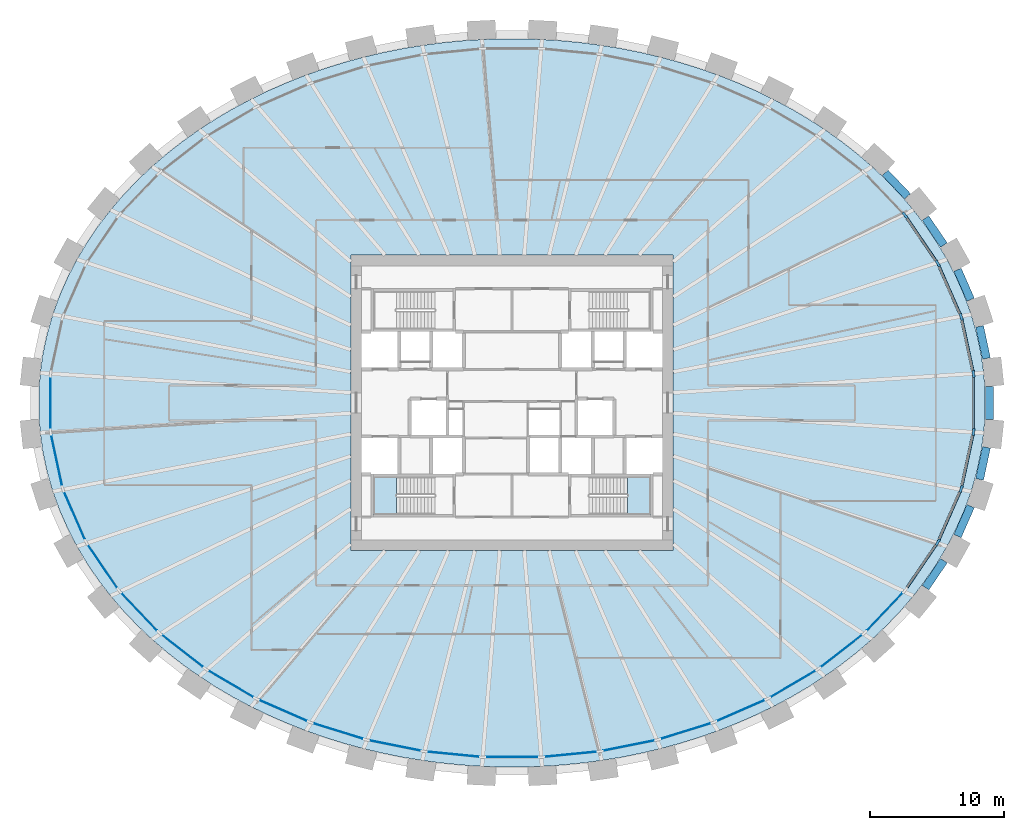
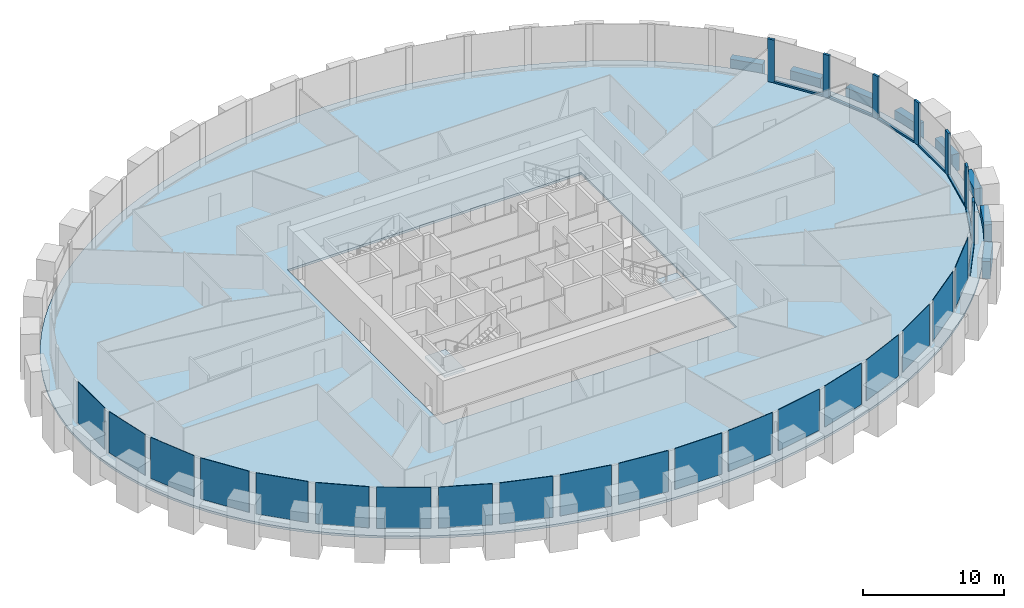
# One storey, part 4 of 11: 19 plates, 14 members, 8 beams, 3 slabs, 3 elements without a shape of their own.
"""IFC4 building model written with IfcOpenShell, lengths in metres."""

from ifc_helpers import new_model, si_unit, direction, frame, origin, origin_2d, place, context, subcontext, project, spatial, polyline, rectangle, outline, extrude, source, transform, mapped, material, layer, layer_set, material_profile, profile_set, type_object, element, aggregate, save


model = new_model("IFC4")

# Units and contexts
model_context = context("Model", 3, precision=1e-05, world=origin(), true_north=direction((0.0, 1.0)))
body_context = subcontext(model_context, "Body", "Model", "MODEL_VIEW")
ifc_project = project(units=[si_unit("LENGTHUNIT", "METRE"), si_unit("AREAUNIT", "SQUARE_METRE"), si_unit("VOLUMEUNIT", "CUBIC_METRE"), si_unit("PLANEANGLEUNIT", "RADIAN"), si_unit("MASSUNIT", "GRAM", prefix="KILO")], contexts=[model_context])

# Site, building, storey
site_placement = place(None, origin())
site = spatial("IfcSite", under=ifc_project, at=site_placement, CompositionType="ELEMENT")
building_placement = place(site_placement, origin())
building = spatial("IfcBuilding", under=site, at=building_placement, Name="Embergate Tower", CompositionType="ELEMENT")
storey_placement = place(building_placement, frame((0.0, 0.0, 207.300048828125)))
storey = spatial("IfcBuildingStorey", under=building, at=storey_placement, Name="L47", CompositionType="ELEMENT", Elevation=207.300048828125)

# Beams
ifc_material_1 = material(Name="Concrete C60", Category="concrete")
ifc_material_profile_1 = material_profile(ifc_material_1, rectangle(XDim=0.60009765625, YDim=1.5, at=origin_2d()), Name="RC 600x1500")
ifc_profile_set_1 = profile_set([ifc_material_profile_1], Name="Concrete C60")
beam_type = type_object("IfcBeamType", Name="Spandrel beam RC 600x1500 C60", PredefinedType="BEAM", material=ifc_profile_set_1)
shared_shape_1 = source(origin(), body_context, "Body", "SweptSolid", [
    extrude(rectangle(XDim=0.60009765625, YDim=1.5, at=origin_2d()), origin(), (0.0, 0.0, 1.0), 2.438720703125),
])
for number, where, z_axis, x_axis, name in (
    (1, (35.320068359375, 3.30908203125, 0.0), (-0.210438320614, 0.977607136439, 0.0), (-0.977607136439, -0.210438320614, 0.0), "SPN-L47-00"),
    (2, (34.806884765625, -5.693115234375, 0.0), (0.210438320614, 0.977607136439, 0.0), (-0.977607136439, 0.210438320614, 0.0), "SPN-L47-42"),
):
    element("IfcBeam", number, at=place(storey_placement, frame(where, z_axis=z_axis, x_axis=x_axis)), inside=storey, type_object=beam_type, Name=name, PredefinedType="BEAM", context=body_context, shape_type="MappedRepresentation", body=[
        mapped(shared_shape_1, transform((0.0, 0.0, 0.0))),
    ])
shared_shape_2 = source(origin(), body_context, "Body", "SweptSolid", [
    extrude(rectangle(XDim=0.60009765625, YDim=1.5, at=origin_2d()), origin(), (0.0, 0.0, 1.0), 2.431884765625),
])
for number, where, z_axis, x_axis, name in (
    (3, (34.14208984375, 7.68505859375, 0.0), (-0.401756025311, 0.915746742351, 0.0), (-0.915746742351, -0.401756025311, 0.0), "SPN-L47-01"),
    (4, (33.1650390625, -9.912109375, 0.0), (0.401756025311, 0.915746742351, 0.0), (-0.915746742351, 0.401756025311, 0.0), "SPN-L47-41"),
):
    element("IfcBeam", number, at=place(storey_placement, frame(where, z_axis=z_axis, x_axis=x_axis)), inside=storey, type_object=beam_type, Name=name, PredefinedType="BEAM", context=body_context, shape_type="MappedRepresentation", body=[
        mapped(shared_shape_2, transform((0.0, 0.0, 0.0))),
    ])
shared_shape_3 = source(origin(), body_context, "Body", "SweptSolid", [
    extrude(rectangle(XDim=0.60009765625, YDim=1.5, at=origin_2d()), origin(), (0.0, 0.0, 1.0), 2.42724609375),
])
for number, where, z_axis, x_axis, name in (
    (5, (32.14892578125, 11.7490234375, 0.0), (-0.562359541569, 0.826892826191, 0.0), (-0.826892826191, -0.562359541569, 0.0), "SPN-L47-02"),
    (6, (30.783935546875, -13.756103515625, 0.0), (0.562359541569, 0.826892826191, 0.0), (-0.826892826191, 0.562359541569, 0.0), "SPN-L47-40"),
):
    element("IfcBeam", number, at=place(storey_placement, frame(where, z_axis=z_axis, x_axis=x_axis)), inside=storey, type_object=beam_type, Name=name, PredefinedType="BEAM", context=body_context, shape_type="MappedRepresentation", body=[
        mapped(shared_shape_3, transform((0.0, 0.0, 0.0))),
    ])
shared_shape_4 = source(origin(), body_context, "Body", "SweptSolid", [
    extrude(rectangle(XDim=0.60009765625, YDim=1.5, at=origin_2d()), origin(), (0.0, 0.0, 1.0), 2.419677734375),
])
beam_1_placement = place(storey_placement, frame((29.448974609375, 15.376953125, 0.0), z_axis=(-0.69015890768, 0.723657848813, 0.0), x_axis=(-0.723657848813, -0.69015890768, 0.0)))
element("IfcBeam", 7, at=beam_1_placement, inside=storey, type_object=beam_type, Name="SPN-L47-03", PredefinedType="BEAM", context=body_context, shape_type="MappedRepresentation", body=[
    mapped(shared_shape_4, transform((0.0, 0.0, 0.0))),
])
shared_shape_5 = source(origin(), body_context, "Body", "SweptSolid", [
    extrude(rectangle(XDim=0.60009765625, YDim=1.5, at=origin_2d()), origin(), (0.0, 0.0, 1.0), 2.43994140625),
])
beam_2_placement = place(storey_placement, frame((35.5419921875, -1.219970703125, 0.0), z_axis=(0.0, 1.0, 0.0), x_axis=(-1.0, 0.0, 0.0)))
element("IfcBeam", 8, at=beam_2_placement, inside=storey, type_object=beam_type, Name="SPN-L47-43", PredefinedType="BEAM", context=body_context, shape_type="MappedRepresentation", body=[
    mapped(shared_shape_5, transform((0.0, 0.0, 0.0))),
])

# Curtain wall, members
ifc_material_2 = material(Name="Aluminium and glass", Category="aluminium")
curtain_wall_type = type_object("IfcCurtainWallType", Name="Recessed office glazing", PredefinedType="NOTDEFINED", material=ifc_material_2)
curtain_wall_placement = place(storey_placement, origin())
curtain_wall = element("IfcCurtainWall", 9, at=curtain_wall_placement, inside=storey, type_object=curtain_wall_type, Name="Recessed office glazing ring", ObjectType="RECESSED OFFICE GLAZING", PredefinedType="USERDEFINED")
ifc_material_3 = material(Name="Aluminium, thermally broken", Category="aluminium")
ifc_material_profile_2 = material_profile(ifc_material_3, rectangle(XDim=0.179931640625, YDim=0.52001953125, at=origin_2d()), Name="AL 520x180")
ifc_profile_set_2 = profile_set([ifc_material_profile_2], Name="Aluminium, thermally broken")
member_type_1 = type_object("IfcMemberType", Name="Office mullion", PredefinedType="MULLION", material=ifc_profile_set_2)
shared_shape_6 = source(origin(), body_context, "Body", "SweptSolid", [
    extrude(rectangle(XDim=0.179931640625, YDim=0.52001953125, at=origin_2d()), origin(), (0.0, 0.0, 1.0), 3.699951171875),
])
member_1_placement = place(storey_placement, frame((34.35302734375, 2.165283203125, 0.0), z_axis=(0.0, 0.0, 1.0), x_axis=(-0.994384954736, -0.105823257345, 0.0)))
member_1 = element("IfcMember", 10, at=member_1_placement, type_object=member_type_1, Name="CW mullion 1", PredefinedType="MULLION", context=body_context, shape_type="MappedRepresentation", body=[
    mapped(shared_shape_6, transform((0.0, 0.0, 0.0))),
])
member_2_placement = place(storey_placement, frame((33.44140625, 6.401611328125, 0.0), z_axis=(0.0, 0.0, 1.0), x_axis=(-0.951497797992, -0.307655554826, 0.0)))
member_2 = element("IfcMember", 11, at=member_2_placement, type_object=member_type_1, Name="CW mullion 2", PredefinedType="MULLION", context=body_context, shape_type="MappedRepresentation", body=[
    mapped(shared_shape_6, transform((0.0, 0.0, 0.0))),
])
member_3_placement = place(storey_placement, frame((31.697998046875, 10.376220703125, 0.0), z_axis=(0.0, 0.0, 1.0), x_axis=(-0.875002740779, -0.484117964581, 0.0)))
member_3 = element("IfcMember", 12, at=member_3_placement, type_object=member_type_1, Name="CW mullion 3", PredefinedType="MULLION", context=body_context, shape_type="MappedRepresentation", body=[
    mapped(shared_shape_6, transform((0.0, 0.0, 0.0))),
])
member_4_placement = place(storey_placement, frame((29.25244140625, 13.972412109375, 0.0), z_axis=(0.0, 0.0, 1.0), x_axis=(-0.777874757957, -0.628419335264, 0.0)))
member_4 = element("IfcMember", 13, at=member_4_placement, type_object=member_type_1, Name="CW mullion 4", PredefinedType="MULLION", context=body_context, shape_type="MappedRepresentation", body=[
    mapped(shared_shape_6, transform((0.0, 0.0, 0.0))),
])
member_5_placement = place(storey_placement, frame((31.697998046875, -10.376220703125, 0.0), z_axis=(0.0, 0.0, 1.0), x_axis=(-0.875002740779, 0.484117964581, 0.0)))
member_5 = element("IfcMember", 14, at=member_5_placement, type_object=member_type_1, Name="CW mullion 42", PredefinedType="MULLION", context=body_context, shape_type="MappedRepresentation", body=[
    mapped(shared_shape_6, transform((0.0, 0.0, 0.0))),
])
member_6_placement = place(storey_placement, frame((33.44140625, -6.401611328125, 0.0), z_axis=(0.0, 0.0, 1.0), x_axis=(-0.951497797992, 0.307655554826, 0.0)))
member_6 = element("IfcMember", 15, at=member_6_placement, type_object=member_type_1, Name="CW mullion 43", PredefinedType="MULLION", context=body_context, shape_type="MappedRepresentation", body=[
    mapped(shared_shape_6, transform((0.0, 0.0, 0.0))),
])
member_7_placement = place(storey_placement, frame((34.35302734375, -2.165283203125, 0.0), z_axis=(0.0, 0.0, 1.0), x_axis=(-0.994384954736, 0.105823257345, 0.0)))
member_7 = element("IfcMember", 16, at=member_7_placement, type_object=member_type_1, Name="CW mullion 44", PredefinedType="MULLION", context=body_context, shape_type="MappedRepresentation", body=[
    mapped(shared_shape_6, transform((0.0, 0.0, 0.0))),
])
ifc_material_profile_3 = material_profile(ifc_material_3, rectangle(XDim=0.179931640625, YDim=0.14990234375, at=origin_2d()), Name="AL 150x180")
ifc_profile_set_3 = profile_set([ifc_material_profile_3], Name="Aluminium, thermally broken")
member_type_2 = type_object("IfcMemberType", Name="Office sill transom", PredefinedType="USERDEFINED", material=ifc_profile_set_3)
shared_shape_7 = source(origin(), body_context, "Body", "SweptSolid", [
    extrude(rectangle(XDim=0.179931640625, YDim=0.14990234375, at=origin_2d()), origin(), (0.0, 0.0, 1.0), 3.8134765625),
])
member_8_placement = place(storey_placement, frame((34.29833984375, 2.41943359375, 0.074951171875), z_axis=(-0.210377227089, 0.977620285347, 0.0), x_axis=(-0.977620285347, -0.210377227089, 0.0)))
member_8 = element("IfcMember", 17, at=member_8_placement, type_object=member_type_2, Name="CW transom 1.1", ObjectType="TRANSOM", PredefinedType="USERDEFINED", context=body_context, shape_type="MappedRepresentation", body=[
    mapped(shared_shape_7, transform((0.0, 0.0, 0.0))),
])
member_9_placement = place(storey_placement, frame((33.49609375, -6.1474609375, 0.074951171875), z_axis=(0.210377227089, 0.977620285347, 0.0), x_axis=(-0.977620285347, 0.210377227089, 0.0)))
member_9 = element("IfcMember", 18, at=member_9_placement, type_object=member_type_2, Name="CW transom 43.1", ObjectType="TRANSOM", PredefinedType="USERDEFINED", context=body_context, shape_type="MappedRepresentation", body=[
    mapped(shared_shape_7, transform((0.0, 0.0, 0.0))),
])
shared_shape_8 = source(origin(), body_context, "Body", "SweptSolid", [
    extrude(rectangle(XDim=0.179931640625, YDim=0.14990234375, at=origin_2d()), origin(), (0.0, 0.0, 1.0), 3.8203125),
])
member_10_placement = place(storey_placement, frame((33.3369140625, 6.6396484375, 0.074951171875), z_axis=(-0.401656793595, 0.915790270837, 0.0), x_axis=(-0.915790270837, -0.401656793595, 0.0)))
member_10 = element("IfcMember", 19, at=member_10_placement, type_object=member_type_2, Name="CW transom 2.1", ObjectType="TRANSOM", PredefinedType="USERDEFINED", context=body_context, shape_type="MappedRepresentation", body=[
    mapped(shared_shape_8, transform((0.0, 0.0, 0.0))),
])
member_11_placement = place(storey_placement, frame((31.802490234375, -10.13818359375, 0.074951171875), z_axis=(0.401656793595, 0.915790270837, 0.0), x_axis=(-0.915790270837, 0.401656793595, 0.0)))
member_11 = element("IfcMember", 20, at=member_11_placement, type_object=member_type_2, Name="CW transom 42.1", ObjectType="TRANSOM", PredefinedType="USERDEFINED", context=body_context, shape_type="MappedRepresentation", body=[
    mapped(shared_shape_8, transform((0.0, 0.0, 0.0))),
])
shared_shape_9 = source(origin(), body_context, "Body", "SweptSolid", [
    extrude(rectangle(XDim=0.179931640625, YDim=0.14990234375, at=origin_2d()), origin(), (0.0, 0.0, 1.0), 3.828857421875),
])
member_12_placement = place(storey_placement, frame((31.552001953125, 10.59130859375, 0.074951171875), z_axis=(-0.56238675743, 0.826874316367, 0.0), x_axis=(-0.826874316367, -0.56238675743, 0.0)))
member_12 = element("IfcMember", 21, at=member_12_placement, type_object=member_type_2, Name="CW transom 3.1", ObjectType="TRANSOM", PredefinedType="USERDEFINED", context=body_context, shape_type="MappedRepresentation", body=[
    mapped(shared_shape_9, transform((0.0, 0.0, 0.0))),
])
member_13_placement = place(storey_placement, frame((29.398681640625, -13.75732421875, 0.074951171875), z_axis=(0.56238675743, 0.826874316367, 0.0), x_axis=(-0.826874316367, 0.56238675743, 0.0)))
member_13 = element("IfcMember", 22, at=member_13_placement, type_object=member_type_2, Name="CW transom 41.1", ObjectType="TRANSOM", PredefinedType="USERDEFINED", context=body_context, shape_type="MappedRepresentation", body=[
    mapped(shared_shape_9, transform((0.0, 0.0, 0.0))),
])
shared_shape_10 = source(origin(), body_context, "Body", "SweptSolid", [
    extrude(rectangle(XDim=0.179931640625, YDim=0.14990234375, at=origin_2d()), origin(), (0.0, 0.0, 1.0), 3.810546875),
])
member_14_placement = place(storey_placement, frame((34.35302734375, -1.9052734375, 0.074951171875), z_axis=(0.0, 1.0, 0.0), x_axis=(-1.0, 0.0, 0.0)))
member_14 = element("IfcMember", 23, at=member_14_placement, type_object=member_type_2, Name="CW transom 44.1", ObjectType="TRANSOM", PredefinedType="USERDEFINED", context=body_context, shape_type="MappedRepresentation", body=[
    mapped(shared_shape_10, transform((0.0, 0.0, 0.0))),
])

# Slab
ifc_material_4 = material(Name="Concrete C40", Category="concrete")
ifc_layer_1 = layer(ifc_material_4, 0.199951171875)
ifc_layer_set_1 = layer_set([ifc_layer_1], Name="Concrete C40")
slab_type_1 = type_object("IfcSlabType", Name="Composite floor slab C40 200", PredefinedType="FLOOR", material=ifc_layer_set_1)
shared_shape_11 = source(origin(), body_context, "Body", "SweptSolid", [
    extrude(outline(polyline([(0.0, 0.0), (1.490234375, 0.0), (2.980224609375, 0.049072265625), (4.47021484375, 0.14599609375), (5.953125, 0.2919921875), (7.427001953125, 0.486083984375), (8.904052734375, 0.72998046875), (10.365234375, 1.02392578125), (11.80908203125, 1.364990234375), (13.256103515625, 1.760009765625), (14.67919921875, 2.203125), (16.0751953125, 2.693115234375), (17.47412109375, 3.242919921875), (18.840087890625, 3.840087890625), (20.169189453125, 4.48388671875), (21.498046875, 5.193115234375), (22.783203125, 5.947998046875), (24.02099609375, 6.748046875), (25.251220703125, 7.62109375), (26.426025390625, 8.5380859375), (27.543212890625, 9.4970703125), (28.63916015625, 10.534912109375), (29.667236328125, 11.613037109375), (30.625, 12.72900390625), (31.544189453125, 13.926025390625), (32.381103515625, 15.157958984375), (33.13623046875, 16.422119140625), (33.8271484375, 17.759033203125), (34.425048828125, 19.123046875), (34.92919921875, 20.510009765625), (35.34423828125, 21.949951171875), (35.658203125, 23.406005859375), (35.8671875, 24.873046875), (35.97412109375, 26.360107421875), (35.97412109375, 27.847900390625), (35.8671875, 29.3349609375), (35.658203125, 30.802001953125), (35.34423828125, 32.258056640625), (34.92919921875, 33.697998046875), (34.425048828125, 35.0849609375), (33.8271484375, 36.448974609375), (33.13623046875, 37.785888671875), (32.381103515625, 39.050048828125), (31.544189453125, 40.281982421875), (30.625, 41.47900390625), (29.667236328125, 42.594970703125), (28.63916015625, 43.673095703125), (27.543212890625, 44.7109375), (26.426025390625, 45.669921875), (25.251220703125, 46.5869140625), (24.02099609375, 47.4599609375), (22.783203125, 48.260009765625), (21.498046875, 49.014892578125), (20.169189453125, 49.72412109375), (18.840087890625, 50.367919921875), (17.47412109375, 50.965087890625), (16.0751953125, 51.514892578125), (14.67919921875, 52.0048828125), (13.256103515625, 52.447998046875), (11.80908203125, 52.843017578125), (10.365234375, 53.18408203125), (8.904052734375, 53.47802734375), (7.427001953125, 53.721923828125), (5.953125, 53.916015625), (4.47021484375, 54.06201171875), (2.980224609375, 54.158935546875), (1.490234375, 54.2080078125), (0.0, 54.2080078125), (-1.489990234375, 54.158935546875), (-2.97998046875, 54.06201171875), (-4.462890625, 53.916015625), (-5.936767578125, 53.721923828125), (-7.413818359375, 53.47802734375), (-8.875, 53.18408203125), (-10.31884765625, 52.843017578125), (-11.765869140625, 52.447998046875), (-13.18896484375, 52.0048828125), (-14.5849609375, 51.514892578125), (-15.98388671875, 50.965087890625), (-17.349853515625, 50.367919921875), (-18.678955078125, 49.72412109375), (-20.0078125, 49.014892578125), (-21.29296875, 48.260009765625), (-22.53076171875, 47.4599609375), (-23.760986328125, 46.5869140625), (-24.935791015625, 45.669921875), (-26.052978515625, 44.7109375), (-27.14892578125, 43.673095703125), (-28.177001953125, 42.594970703125), (-29.134765625, 41.47900390625), (-30.053955078125, 40.281982421875), (-30.890869140625, 39.050048828125), (-31.64599609375, 37.785888671875), (-32.3369140625, 36.448974609375), (-32.934814453125, 35.0849609375), (-33.43896484375, 33.697998046875), (-33.85400390625, 32.258056640625), (-34.16796875, 30.802001953125), (-34.376953125, 29.3349609375), (-34.48388671875, 27.847900390625), (-34.48388671875, 26.360107421875), (-34.376953125, 24.873046875), (-34.16796875, 23.406005859375), (-33.85400390625, 21.949951171875), (-33.43896484375, 20.510009765625), (-32.934814453125, 19.123046875), (-32.3369140625, 17.759033203125), (-31.64599609375, 16.422119140625), (-30.890869140625, 15.157958984375), (-30.053955078125, 13.926025390625), (-29.134765625, 12.72900390625), (-28.177001953125, 11.613037109375), (-27.14892578125, 10.534912109375), (-26.052978515625, 9.4970703125), (-24.935791015625, 8.5380859375), (-23.760986328125, 7.62109375), (-22.53076171875, 6.748046875), (-21.29296875, 5.947998046875), (-20.0078125, 5.193115234375), (-18.678955078125, 4.48388671875), (-17.349853515625, 3.840087890625), (-15.98388671875, 3.242919921875), (-14.5849609375, 2.693115234375), (-13.18896484375, 2.203125), (-11.765869140625, 1.760009765625), (-10.31884765625, 1.364990234375), (-8.875, 1.02392578125), (-7.413818359375, 0.72998046875), (-5.936767578125, 0.486083984375), (-4.462890625, 0.2919921875), (-2.97998046875, 0.14599609375), (-1.489990234375, 0.049072265625), (0.0, 0.0)]), holes=[polyline([(-11.2548828125, 16.10400390625), (-11.2548828125, 38.10400390625), (12.7451171875, 38.10400390625), (12.7451171875, 16.10400390625), (-11.2548828125, 16.10400390625)])]), origin(), (0.0, 0.0, 1.0), 0.199951171875),
])
slab_1_placement = place(storey_placement, frame((-0.7451171875, -27.10400390625, -0.199951171875)))
element("IfcSlab", 24, at=slab_1_placement, inside=storey, type_object=slab_type_1, Name="SLB-L47-00", PredefinedType="FLOOR", context=body_context, shape_type="MappedRepresentation", body=[
    mapped(shared_shape_11, transform((0.0, 0.0, 0.0))),
])

# Plate
ifc_material_5 = material(Name="Triple glazing, low-emissivity coating", Category="glass")
ifc_layer_2 = layer(ifc_material_5, 0.035888671875)
ifc_layer_set_2 = layer_set([ifc_layer_2], Name="Triple glazing, low-emissivity coating")
plate_type = type_object("IfcPlateType", Name="Office glazing unit", PredefinedType="CURTAIN_PANEL", material=ifc_layer_set_2)
shared_shape_12 = source(origin(), body_context, "Body", "SweptSolid", [
    extrude(rectangle(XDim=3.813232421875, YDim=0.035888671875, at=origin_2d()), origin(), (0.0, 0.0, 1.0), 3.550048828125),
])
plate_1_placement = place(storey_placement, frame((-33.897216796875, -4.283447265625, 0.14990234375), z_axis=(0.0, 0.0, 1.0), x_axis=(0.210394978653, -0.977616465163, 0.0)))
plate_1 = element("IfcPlate", 25, at=plate_1_placement, type_object=plate_type, Name="CW panel 23.1", PredefinedType="CURTAIN_PANEL", context=body_context, shape_type="MappedRepresentation", body=[
    mapped(shared_shape_12, transform((0.0, 0.0, 0.0))),
])

shared_shape_13 = source(origin(), body_context, "Body", "SweptSolid", [
    extrude(rectangle(XDim=3.820068359375, YDim=0.035888671875, at=origin_2d()), origin(), (0.0, 0.0, 1.0), 3.550048828125),
])
plate_2_placement = place(storey_placement, frame((-32.569580078125, -8.388916015625, 0.14990234375), z_axis=(0.0, 0.0, 1.0), x_axis=(0.401648904437, -0.915793730905, 0.0)))
plate_2 = element("IfcPlate", 26, at=plate_2_placement, type_object=plate_type, Name="CW panel 24.1", PredefinedType="CURTAIN_PANEL", context=body_context, shape_type="MappedRepresentation", body=[
    mapped(shared_shape_13, transform((0.0, 0.0, 0.0))),
])

shared_shape_14 = source(origin(), body_context, "Body", "SweptSolid", [
    extrude(rectangle(XDim=3.828857421875, YDim=0.035888671875, at=origin_2d()), origin(), (0.0, 0.0, 1.0), 3.550048828125),
])
plate_3_placement = place(storey_placement, frame((-30.475341796875, -12.17431640625, 0.14990234375), z_axis=(0.0, 0.0, 1.0), x_axis=(0.562337412243, -0.826907875638, 0.0)))
plate_3 = element("IfcPlate", 27, at=plate_3_placement, type_object=plate_type, Name="CW panel 25.1", PredefinedType="CURTAIN_PANEL", context=body_context, shape_type="MappedRepresentation", body=[
    mapped(shared_shape_14, transform((0.0, 0.0, 0.0))),
])

shared_shape_15 = source(origin(), body_context, "Body", "SweptSolid", [
    extrude(rectangle(XDim=3.83740234375, YDim=0.035888671875, at=origin_2d()), origin(), (0.0, 0.0, 1.0), 3.550048828125),
])
plate_4_placement = place(storey_placement, frame((-27.748779296875, -15.549072265625, 0.14990234375), z_axis=(0.0, 0.0, 1.0), x_axis=(0.690128732196, -0.72368662624, 0.0)))
plate_4 = element("IfcPlate", 28, at=plate_4_placement, type_object=plate_type, Name="CW panel 26.1", PredefinedType="CURTAIN_PANEL", context=body_context, shape_type="MappedRepresentation", body=[
    mapped(shared_shape_15, transform((0.0, 0.0, 0.0))),
])

plate_5_placement = place(storey_placement, frame((27.748779296875, -15.549072265625, 0.14990234375), z_axis=(0.0, 0.0, 1.0), x_axis=(0.690128732196, 0.72368662624, 0.0)))
plate_5 = element("IfcPlate", 29, at=plate_5_placement, type_object=plate_type, Name="CW panel 40.1", PredefinedType="CURTAIN_PANEL", context=body_context, shape_type="MappedRepresentation", body=[
    mapped(shared_shape_15, transform((0.0, 0.0, 0.0))),
])

shared_shape_16 = source(origin(), body_context, "Body", "SweptSolid", [
    extrude(rectangle(XDim=3.844970703125, YDim=0.035888671875, at=origin_2d()), origin(), (0.0, 0.0, 1.0), 3.550048828125),
])
plate_6_placement = place(storey_placement, frame((-24.52490234375, -18.468505859375, 0.14990234375), z_axis=(0.0, 0.0, 1.0), x_axis=(0.788315823873, -0.615270803656, 0.0)))
plate_6 = element("IfcPlate", 30, at=plate_6_placement, type_object=plate_type, Name="CW panel 27.1", PredefinedType="CURTAIN_PANEL", context=body_context, shape_type="MappedRepresentation", body=[
    mapped(shared_shape_16, transform((0.0, 0.0, 0.0))),
])

plate_7_placement = place(storey_placement, frame((24.52490234375, -18.468505859375, 0.14990234375), z_axis=(0.0, 0.0, 1.0), x_axis=(0.788315823873, 0.615270803656, 0.0)))
plate_7 = element("IfcPlate", 31, at=plate_7_placement, type_object=plate_type, Name="CW panel 39.1", PredefinedType="CURTAIN_PANEL", context=body_context, shape_type="MappedRepresentation", body=[
    mapped(shared_shape_16, transform((0.0, 0.0, 0.0))),
])

shared_shape_17 = source(origin(), body_context, "Body", "SweptSolid", [
    extrude(rectangle(XDim=3.850830078125, YDim=0.035888671875, at=origin_2d()), origin(), (0.0, 0.0, 1.0), 3.550048828125),
])
plate_8_placement = place(storey_placement, frame((-20.920654296875, -20.9189453125, 0.14990234375), z_axis=(0.0, 0.0, 1.0), x_axis=(0.862049629534, -0.506823871004, 0.0)))
plate_8 = element("IfcPlate", 32, at=plate_8_placement, type_object=plate_type, Name="CW panel 28.1", PredefinedType="CURTAIN_PANEL", context=body_context, shape_type="MappedRepresentation", body=[
    mapped(shared_shape_17, transform((0.0, 0.0, 0.0))),
])

plate_9_placement = place(storey_placement, frame((20.920654296875, -20.9189453125, 0.14990234375), z_axis=(0.0, 0.0, 1.0), x_axis=(0.862049629534, 0.506823871004, 0.0)))
plate_9 = element("IfcPlate", 33, at=plate_9_placement, type_object=plate_type, Name="CW panel 38.1", PredefinedType="CURTAIN_PANEL", context=body_context, shape_type="MappedRepresentation", body=[
    mapped(shared_shape_17, transform((0.0, 0.0, 0.0))),
])

shared_shape_18 = source(origin(), body_context, "Body", "SweptSolid", [
    extrude(rectangle(XDim=3.855224609375, YDim=0.035888671875, at=origin_2d()), origin(), (0.0, 0.0, 1.0), 3.550048828125),
])
plate_10_placement = place(storey_placement, frame((-17.0322265625, -22.903076171875, 0.14990234375), z_axis=(0.0, 0.0, 1.0), x_axis=(0.916233414734, -0.400644892298, 0.0)))
plate_10 = element("IfcPlate", 34, at=plate_10_placement, type_object=plate_type, Name="CW panel 29.1", PredefinedType="CURTAIN_PANEL", context=body_context, shape_type="MappedRepresentation", body=[
    mapped(shared_shape_18, transform((0.0, 0.0, 0.0))),
])

plate_11_placement = place(storey_placement, frame((17.0322265625, -22.903076171875, 0.14990234375), z_axis=(0.0, 0.0, 1.0), x_axis=(0.916233414734, 0.400644892298, 0.0)))
plate_11 = element("IfcPlate", 35, at=plate_11_placement, type_object=plate_type, Name="CW panel 37.1", PredefinedType="CURTAIN_PANEL", context=body_context, shape_type="MappedRepresentation", body=[
    mapped(shared_shape_18, transform((0.0, 0.0, 0.0))),
])

shared_shape_19 = source(origin(), body_context, "Body", "SweptSolid", [
    extrude(rectangle(XDim=3.8583984375, YDim=0.035888671875, at=origin_2d()), origin(), (0.0, 0.0, 1.0), 3.550048828125),
])
plate_12_placement = place(storey_placement, frame((-12.9375, -24.430419921875, 0.14990234375), z_axis=(0.0, 0.0, 1.0), x_axis=(0.954770660302, -0.297343212847, 0.0)))
plate_12 = element("IfcPlate", 36, at=plate_12_placement, type_object=plate_type, Name="CW panel 30.1", PredefinedType="CURTAIN_PANEL", context=body_context, shape_type="MappedRepresentation", body=[
    mapped(shared_shape_19, transform((0.0, 0.0, 0.0))),
])

plate_13_placement = place(storey_placement, frame((12.9375, -24.430419921875, 0.14990234375), z_axis=(0.0, 0.0, 1.0), x_axis=(0.954770660302, 0.297343212847, 0.0)))
plate_13 = element("IfcPlate", 37, at=plate_13_placement, type_object=plate_type, Name="CW panel 36.1", PredefinedType="CURTAIN_PANEL", context=body_context, shape_type="MappedRepresentation", body=[
    mapped(shared_shape_19, transform((0.0, 0.0, 0.0))),
])

shared_shape_20 = source(origin(), body_context, "Body", "SweptSolid", [
    extrude(rectangle(XDim=3.860595703125, YDim=0.035888671875, at=origin_2d()), origin(), (0.0, 0.0, 1.0), 3.550048828125),
])
plate_14_placement = place(storey_placement, frame((-8.69970703125, -25.51220703125, 0.14990234375), z_axis=(0.0, 0.0, 1.0), x_axis=(0.980475221003, -0.196642673395, 0.0)))
plate_14 = element("IfcPlate", 38, at=plate_14_placement, type_object=plate_type, Name="CW panel 31.1", PredefinedType="CURTAIN_PANEL", context=body_context, shape_type="MappedRepresentation", body=[
    mapped(shared_shape_20, transform((0.0, 0.0, 0.0))),
])

plate_15_placement = place(storey_placement, frame((8.69970703125, -25.51220703125, 0.14990234375), z_axis=(0.0, 0.0, 1.0), x_axis=(0.980475221003, 0.196642673395, 0.0)))
plate_15 = element("IfcPlate", 39, at=plate_15_placement, type_object=plate_type, Name="CW panel 35.1", PredefinedType="CURTAIN_PANEL", context=body_context, shape_type="MappedRepresentation", body=[
    mapped(shared_shape_20, transform((0.0, 0.0, 0.0))),
])

shared_shape_21 = source(origin(), body_context, "Body", "SweptSolid", [
    extrude(rectangle(XDim=3.862060546875, YDim=0.035888671875, at=origin_2d()), origin(), (0.0, 0.0, 1.0), 3.550048828125),
])
plate_16_placement = place(storey_placement, frame((-4.37158203125, -26.1572265625, 0.14990234375), z_axis=(0.0, 0.0, 1.0), x_axis=(0.995203014042, -0.097831287645, 0.0)))
plate_16 = element("IfcPlate", 40, at=plate_16_placement, type_object=plate_type, Name="CW panel 32.1", PredefinedType="CURTAIN_PANEL", context=body_context, shape_type="MappedRepresentation", body=[
    mapped(shared_shape_21, transform((0.0, 0.0, 0.0))),
])

plate_17_placement = place(storey_placement, frame((4.37158203125, -26.1572265625, 0.14990234375), z_axis=(0.0, 0.0, 1.0), x_axis=(0.995203014042, 0.097831287645, 0.0)))
plate_17 = element("IfcPlate", 41, at=plate_17_placement, type_object=plate_type, Name="CW panel 34.1", PredefinedType="CURTAIN_PANEL", context=body_context, shape_type="MappedRepresentation", body=[
    mapped(shared_shape_21, transform((0.0, 0.0, 0.0))),
])

shared_shape_22 = source(origin(), body_context, "Body", "SweptSolid", [
    extrude(rectangle(XDim=3.8623046875, YDim=0.035888671875, at=origin_2d()), origin(), (0.0, 0.0, 1.0), 3.550048828125),
])
plate_18_placement = place(storey_placement, frame((0.0, -26.37158203125, 0.14990234375), z_axis=(0.0, 0.0, 1.0), x_axis=(1.0, 0.0, 0.0)))
plate_18 = element("IfcPlate", 42, at=plate_18_placement, type_object=plate_type, Name="CW panel 33.1", PredefinedType="CURTAIN_PANEL", context=body_context, shape_type="MappedRepresentation", body=[
    mapped(shared_shape_22, transform((0.0, 0.0, 0.0))),
])

shared_shape_23 = source(origin(), body_context, "Body", "SweptSolid", [
    extrude(rectangle(XDim=3.810546875, YDim=0.035888671875, at=origin_2d()), origin(), (0.0, 0.0, 1.0), 3.550048828125),
])
plate_19_placement = place(storey_placement, frame((-34.35302734375, 0.0, 0.14990234375), z_axis=(0.0, 0.0, 1.0), x_axis=(0.0, -1.0, 0.0)))
plate_19 = element("IfcPlate", 43, at=plate_19_placement, type_object=plate_type, Name="CW panel 22.1", PredefinedType="CURTAIN_PANEL", context=body_context, shape_type="MappedRepresentation", body=[
    mapped(shared_shape_23, transform((0.0, 0.0, 0.0))),
])

aggregate(curtain_wall, [member_1, member_2, member_3, member_4, member_5, member_6, member_7, member_8, member_10, member_12, plate_19, plate_1, plate_2, plate_3, plate_4, plate_6, plate_8, plate_10, plate_12, plate_14, plate_16, plate_18, plate_17, plate_15, plate_13, plate_11, plate_9, plate_7, plate_5, member_13, member_11, member_9, member_14])

# Stair, slab
ifc_material_6 = material(Name="Exit stair")
stair_type = type_object("IfcStairType", Name="Exit stair", PredefinedType="HALF_TURN_STAIR", material=ifc_material_6)
stair_1_placement = place(storey_placement, origin())
stair_1 = element("IfcStair", 44, at=stair_1_placement, inside=storey, type_object=stair_type, Name="L47 Exit stair 3", PredefinedType="HALF_TURN_STAIR")
ifc_layer_3 = layer(ifc_material_4, 0.199951171875)
ifc_layer_set_3 = layer_set([ifc_layer_3], Name="Concrete C40")
slab_type_2 = type_object("IfcSlabType", Name="Stair landing reinforced concrete", PredefinedType="LANDING", material=ifc_layer_set_3)
shared_shape_24 = source(origin(), body_context, "Body", "SweptSolid", [
    extrude(outline(polyline([(0.0, 0.0), (1.68994140625, 0.0), (1.68994140625, 2.800048828125), (0.0, 2.800048828125), (0.0, 0.0)])), origin(), (0.0, 0.0, 1.0), 0.199951171875),
])
slab_2_placement = place(storey_placement, frame((-10.300048828125, -8.300048828125, 1.75)))
slab_2 = element("IfcSlab", 45, at=slab_2_placement, type_object=slab_type_2, Name="ST3 landing 1", PredefinedType="LANDING", context=body_context, shape_type="MappedRepresentation", body=[
    mapped(shared_shape_24, transform((0.0, 0.0, 0.0))),
])
aggregate(stair_1, [slab_2])

stair_2_placement = place(storey_placement, origin())
stair_2 = element("IfcStair", 46, at=stair_2_placement, inside=storey, type_object=stair_type, Name="L47 Exit stair 4", PredefinedType="HALF_TURN_STAIR")
slab_3_placement = place(storey_placement, frame((8.610107421875, -8.300048828125, 1.75)))
slab_3 = element("IfcSlab", 47, at=slab_3_placement, type_object=slab_type_2, Name="ST4 landing 1", PredefinedType="LANDING", context=body_context, shape_type="MappedRepresentation", body=[
    mapped(shared_shape_24, transform((0.0, 0.0, 0.0))),
])
aggregate(stair_2, [slab_3])

save(model, "model.ifc")
